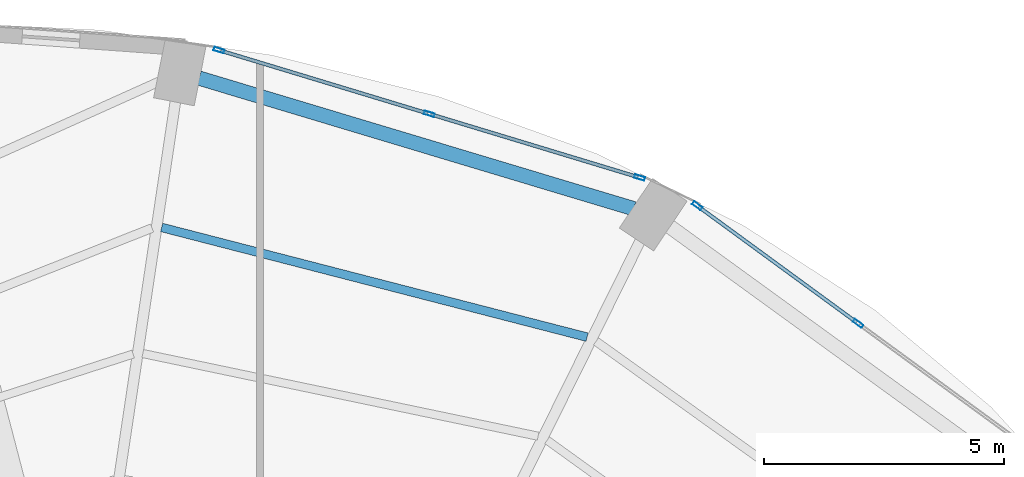
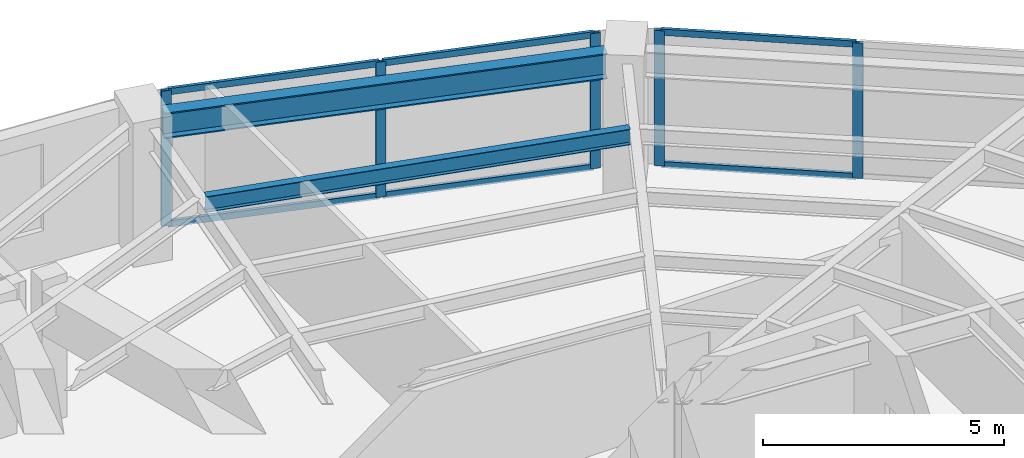
# One storey, part 17 of 24: 11 members, 2 beams, 2 elements without a shape of their own.
"""IFC4 building model written with IfcOpenShell, lengths in metres."""

from ifc_helpers import new_model, si_unit, direction, frame, origin, origin_2d, place, context, subcontext, project, spatial, hollow_rectangle, i_section, extrude, material, layer, layer_set, material_profile, profile_set, type_object, element, aggregate, save


model = new_model("IFC4")

# Units and contexts
model_context = context("Model", 3, precision=1e-05, world=origin(), true_north=direction((0.0, 1.0)))
body_context = subcontext(model_context, "Body", "Model", "MODEL_VIEW")
ifc_project = project(units=[si_unit("LENGTHUNIT", "METRE"), si_unit("AREAUNIT", "SQUARE_METRE"), si_unit("VOLUMEUNIT", "CUBIC_METRE"), si_unit("PLANEANGLEUNIT", "RADIAN"), si_unit("MASSUNIT", "GRAM", prefix="KILO")], contexts=[model_context])

# Site, building, storey
site_placement = place(None, origin())
site = spatial("IfcSite", under=ifc_project, at=site_placement, CompositionType="ELEMENT")
building_placement = place(site_placement, origin())
building = spatial("IfcBuilding", under=site, at=building_placement, Name="Lazwardi Medical Tower", CompositionType="ELEMENT")
storey_placement = place(building_placement, frame((0.0, 0.0, 39.7919921875)))
storey = spatial("IfcBuildingStorey", under=building, at=storey_placement, Name="L09", CompositionType="ELEMENT", Elevation=39.7919921875)

# Beams
ifc_material_1 = material(Name="Steel S355", Category="steel")
ifc_material_profile_1 = material_profile(ifc_material_1, i_section(OverallWidth=0.300048828125, OverallDepth=0.64990234375, WebThickness=0.01611328125, FlangeThickness=0.031005859375, at=origin_2d()), Name="HEB 650")
ifc_profile_set_1 = profile_set([ifc_material_profile_1], Name="Steel S355")
beam_type_1 = type_object("IfcBeamType", Name="BM-RB-Z1", PredefinedType="BEAM", material=ifc_profile_set_1)
beam_1_placement = place(storey_placement, frame((50.77880859375, 47.0048828125, 3.10302734375), z_axis=(-0.957695289269, 0.287784177662, 0.0), x_axis=(-0.287784177662, -0.957695289269, 0.0)))
element("IfcBeam", 1, at=beam_1_placement, inside=storey, type_object=beam_type_1, Name="Ring beam RB-02 B07 L09", PredefinedType="BEAM", context=body_context, shape_type="SweptSolid", body=[
    extrude(i_section(OverallWidth=0.300048828125, OverallDepth=0.64990234375, WebThickness=0.01611328125, FlangeThickness=0.031005859375, at=origin_2d()), origin(), (0.0, 0.0, 1.0), 9.445556640625),
])
ifc_material_profile_2 = material_profile(ifc_material_1, i_section(OverallWidth=0.179931640625, OverallDepth=0.39990234375, WebThickness=0.008544921875, FlangeThickness=0.013427734375, at=origin_2d()), Name="IPE 400")
ifc_profile_set_2 = profile_set([ifc_material_profile_2], Name="Steel S355")
beam_type_2 = type_object("IfcBeamType", Name="BM-SJ-01", PredefinedType="JOIST", material=ifc_profile_set_2)
beam_2_placement = place(storey_placement, frame((49.804931640625, 44.333251953125, 3.22802734375), z_axis=(-0.968316918308, 0.249724539682, 0.0), x_axis=(-0.249724539682, -0.968316918308, 0.0)))
element("IfcBeam", 2, at=beam_2_placement, inside=storey, type_object=beam_type_2, Name="Secondary joist SJ-01 R1 B07 L09", PredefinedType="JOIST", context=body_context, shape_type="SweptSolid", body=[
    extrude(i_section(OverallWidth=0.179931640625, OverallDepth=0.39990234375, WebThickness=0.008544921875, FlangeThickness=0.013427734375, at=origin_2d()), origin(), (0.0, 0.0, 1.0), 9.140869140625),
])

# Curtain wall, members
ifc_material_2 = material(Name="Anodised bronze aluminium and solar control glazing", Category="aluminium")
ifc_layer = layer(ifc_material_2, 0.199951171875)
ifc_layer_set = layer_set([ifc_layer], Name="Anodised bronze aluminium and solar control glazing")
curtain_wall_type = type_object("IfcCurtainWallType", Name="CW-SYS-02", PredefinedType="NOTDEFINED", material=ifc_layer_set)
curtain_wall_1_placement = place(storey_placement, origin())
curtain_wall_1 = element("IfcCurtainWall", 3, at=curtain_wall_1_placement, inside=storey, type_object=curtain_wall_type, Name="L09 Unitised bronze curtain wall CW-02", PredefinedType="NOTDEFINED")
ifc_material_3 = material(Name="Anodised bronze aluminium", Category="aluminium")
ifc_material_profile_3 = material_profile(ifc_material_3, hollow_rectangle(XDim=0.074951171875, YDim=0.219970703125, WallThickness=0.00390625, at=origin_2d()), Name="ALU-MULLION 220x75x4")
ifc_profile_set_3 = profile_set([ifc_material_profile_3], Name="Anodised bronze aluminium")
member_type_1 = type_object("IfcMemberType", Name="CW-MUL-01", PredefinedType="MULLION", material=ifc_profile_set_3)
member_1_placement = place(storey_placement, frame((55.4443359375, 44.619384765625, 0.0), z_axis=(0.0, 0.0, 1.0), x_axis=(-0.590289307341, -0.807191757663, 0.0)))
member_1 = element("IfcMember", 4, at=member_1_placement, type_object=member_type_1, Name="CW-02 mullion 2", PredefinedType="MULLION", context=body_context, shape_type="SweptSolid", body=[
    extrude(hollow_rectangle(XDim=0.074951171875, YDim=0.219970703125, WallThickness=0.00390625, at=origin_2d()), origin(), (0.0, 0.0, 1.0), 3.427978515625),
])
member_2_placement = place(storey_placement, frame((52.0986328125, 47.066162109375, 0.0), z_axis=(0.0, 0.0, 1.0), x_axis=(-0.590289307341, -0.807191757663, 0.0)))
member_2 = element("IfcMember", 5, at=member_2_placement, type_object=member_type_1, Name="CW-02 mullion 3", PredefinedType="MULLION", context=body_context, shape_type="SweptSolid", body=[
    extrude(hollow_rectangle(XDim=0.074951171875, YDim=0.219970703125, WallThickness=0.00390625, at=origin_2d()), origin(), (0.0, 0.0, 1.0), 3.427978515625),
])

curtain_wall_2_placement = place(storey_placement, origin())
curtain_wall_2 = element("IfcCurtainWall", 6, at=curtain_wall_2_placement, inside=storey, type_object=curtain_wall_type, Name="L09 Unitised bronze curtain wall CW-02", PredefinedType="NOTDEFINED")
member_3_placement = place(storey_placement, frame((50.8984375, 47.653076171875, 0.0), z_axis=(0.0, 0.0, 1.0), x_axis=(-0.2898956909, -0.957058247129, 0.0)))
member_3 = element("IfcMember", 7, at=member_3_placement, type_object=member_type_1, Name="CW-02 mullion 1", PredefinedType="MULLION", context=body_context, shape_type="SweptSolid", body=[
    extrude(hollow_rectangle(XDim=0.074951171875, YDim=0.219970703125, WallThickness=0.00390625, at=origin_2d()), origin(), (0.0, 0.0, 1.0), 3.427978515625),
])
member_4_placement = place(storey_placement, frame((46.523193359375, 48.978515625, 0.0), z_axis=(0.0, 0.0, 1.0), x_axis=(-0.2898956909, -0.957058247129, 0.0)))
member_4 = element("IfcMember", 8, at=member_4_placement, type_object=member_type_1, Name="CW-02 mullion 2", PredefinedType="MULLION", context=body_context, shape_type="SweptSolid", body=[
    extrude(hollow_rectangle(XDim=0.074951171875, YDim=0.219970703125, WallThickness=0.00390625, at=origin_2d()), origin(), (0.0, 0.0, 1.0), 3.427978515625),
])
member_5_placement = place(storey_placement, frame((42.14794921875, 50.3037109375, 0.0), z_axis=(0.0, 0.0, 1.0), x_axis=(-0.2898956909, -0.957058247129, 0.0)))
member_5 = element("IfcMember", 9, at=member_5_placement, type_object=member_type_1, Name="CW-02 mullion 3", PredefinedType="MULLION", context=body_context, shape_type="SweptSolid", body=[
    extrude(hollow_rectangle(XDim=0.074951171875, YDim=0.219970703125, WallThickness=0.00390625, at=origin_2d()), origin(), (0.0, 0.0, 1.0), 3.427978515625),
])

# Member
ifc_material_profile_4 = material_profile(ifc_material_3, hollow_rectangle(XDim=0.074951171875, YDim=0.159912109375, WallThickness=0.00390625, at=origin_2d()), Name="ALU-TRANSOM 160x75x4")
ifc_profile_set_4 = profile_set([ifc_material_profile_4], Name="Anodised bronze aluminium")
member_type_2 = type_object("IfcMemberType", Name="CW-TRN-01", PredefinedType="USERDEFINED", material=ifc_profile_set_4)
member_6_placement = place(storey_placement, frame((55.4140625, 44.641357421875, 0.03759765625), z_axis=(-0.807169053975, 0.590320352271, 0.0), x_axis=(-0.590320352271, -0.807169053975, 0.0)))
member_6 = element("IfcMember", 10, at=member_6_placement, type_object=member_type_2, Name="CW-02 transom 2.1", ObjectType="TRANSOM", PredefinedType="USERDEFINED", context=body_context, shape_type="SweptSolid", body=[
    extrude(hollow_rectangle(XDim=0.074951171875, YDim=0.159912109375, WallThickness=0.00390625, at=origin_2d()), origin(), (0.0, 0.0, 1.0), 4.070068359375),
])

member_7_placement = place(storey_placement, frame((55.4140625, 44.641357421875, 3.390625), z_axis=(-0.807169053975, 0.590320352271, 0.0), x_axis=(-0.590320352271, -0.807169053975, 0.0)))
member_7 = element("IfcMember", 11, at=member_7_placement, type_object=member_type_2, Name="CW-02 transom 2.2", ObjectType="TRANSOM", PredefinedType="USERDEFINED", context=body_context, shape_type="SweptSolid", body=[
    extrude(hollow_rectangle(XDim=0.074951171875, YDim=0.159912109375, WallThickness=0.00390625, at=origin_2d()), origin(), (0.0, 0.0, 1.0), 4.070068359375),
])

aggregate(curtain_wall_1, [member_1, member_2, member_6, member_7])

member_8_placement = place(storey_placement, frame((50.862548828125, 47.6640625, 0.03759765625), z_axis=(-0.957062297904, 0.289882317383, 0.0), x_axis=(-0.289882317383, -0.957062297904, 0.0)))
member_8 = element("IfcMember", 12, at=member_8_placement, type_object=member_type_2, Name="CW-02 transom 1.1", ObjectType="TRANSOM", PredefinedType="USERDEFINED", context=body_context, shape_type="SweptSolid", body=[
    extrude(hollow_rectangle(XDim=0.074951171875, YDim=0.159912109375, WallThickness=0.00390625, at=origin_2d()), origin(), (0.0, 0.0, 1.0), 4.49658203125),
])

member_9_placement = place(storey_placement, frame((50.862548828125, 47.6640625, 3.390625), z_axis=(-0.957062297904, 0.289882317383, 0.0), x_axis=(-0.289882317383, -0.957062297904, 0.0)))
member_9 = element("IfcMember", 13, at=member_9_placement, type_object=member_type_2, Name="CW-02 transom 1.2", ObjectType="TRANSOM", PredefinedType="USERDEFINED", context=body_context, shape_type="SweptSolid", body=[
    extrude(hollow_rectangle(XDim=0.074951171875, YDim=0.159912109375, WallThickness=0.00390625, at=origin_2d()), origin(), (0.0, 0.0, 1.0), 4.49658203125),
])

member_10_placement = place(storey_placement, frame((46.4873046875, 48.9892578125, 0.03759765625), z_axis=(-0.957047233423, 0.28993204893, 0.0), x_axis=(-0.28993204893, -0.957047233423, 0.0)))
member_10 = element("IfcMember", 14, at=member_10_placement, type_object=member_type_2, Name="CW-02 transom 2.1", ObjectType="TRANSOM", PredefinedType="USERDEFINED", context=body_context, shape_type="SweptSolid", body=[
    extrude(hollow_rectangle(XDim=0.074951171875, YDim=0.159912109375, WallThickness=0.00390625, at=origin_2d()), origin(), (0.0, 0.0, 1.0), 4.49658203125),
])

member_11_placement = place(storey_placement, frame((46.4873046875, 48.9892578125, 3.390625), z_axis=(-0.957047233423, 0.28993204893, 0.0), x_axis=(-0.28993204893, -0.957047233423, 0.0)))
member_11 = element("IfcMember", 15, at=member_11_placement, type_object=member_type_2, Name="CW-02 transom 2.2", ObjectType="TRANSOM", PredefinedType="USERDEFINED", context=body_context, shape_type="SweptSolid", body=[
    extrude(hollow_rectangle(XDim=0.074951171875, YDim=0.159912109375, WallThickness=0.00390625, at=origin_2d()), origin(), (0.0, 0.0, 1.0), 4.49658203125),
])

aggregate(curtain_wall_2, [member_3, member_4, member_5, member_8, member_9, member_10, member_11])

save(model, "model.ifc")
